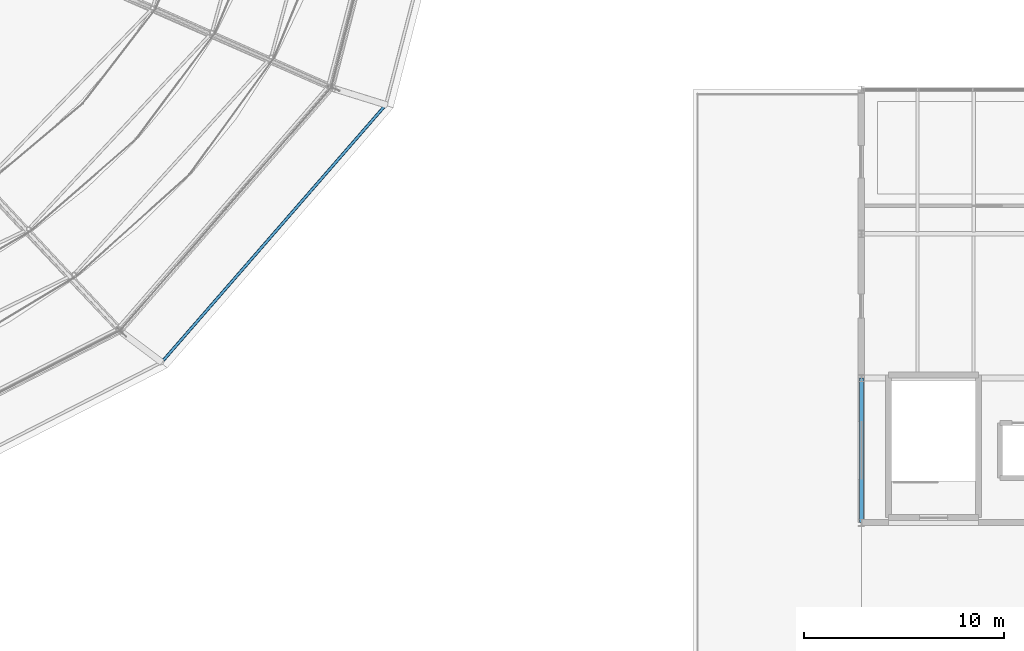
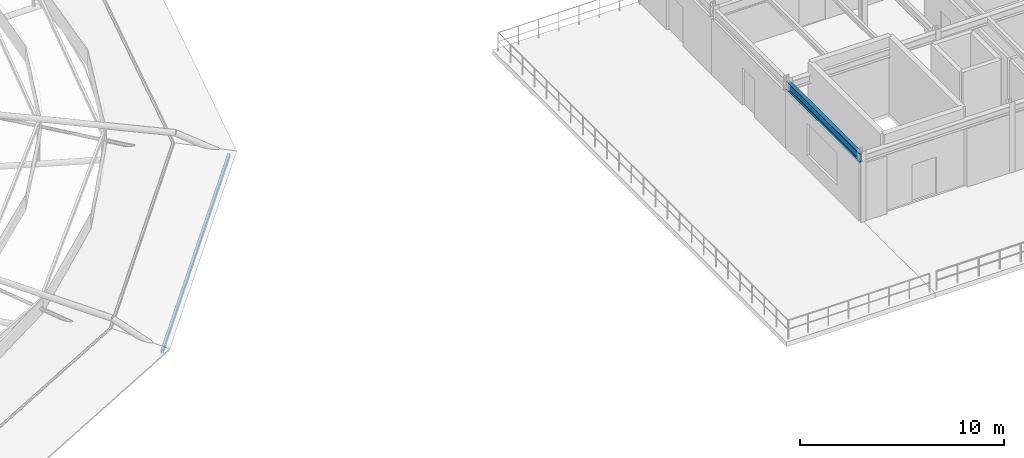
# One storey, part 31 of 134: 2 beams.
"""IFC4 building model written with IfcOpenShell, lengths in metres."""

from ifc_helpers import new_model, si_unit, derived_unit, direction, frame, origin, origin_2d, place, context, subcontext, project, spatial, hollow_rectangle, i_section, extrude, material, material_profile, profile_set, type_object, element, save


model = new_model("IFC4")

# Units and contexts
model_context = context("Model", 3, precision=1e-05, world=origin(), true_north=direction((0.0, 1.0)))
body_context = subcontext(model_context, "Body", "Model", "MODEL_VIEW")
ifc_project = project(units=[si_unit("LENGTHUNIT", "METRE"), si_unit("AREAUNIT", "SQUARE_METRE"), si_unit("VOLUMEUNIT", "CUBIC_METRE"), si_unit("PLANEANGLEUNIT", "RADIAN"), si_unit("MASSUNIT", "GRAM", prefix="KILO"), derived_unit("THERMALTRANSMITTANCEUNIT", [(si_unit("MASSUNIT", "GRAM", prefix="KILO"), 1), (si_unit("TIMEUNIT", "SECOND"), -3), (si_unit("THERMODYNAMICTEMPERATUREUNIT", "KELVIN"), -1)])], contexts=[model_context])

# Site, building, storey
site_placement = place(None, origin())
site = spatial("IfcSite", under=ifc_project, at=site_placement, CompositionType="ELEMENT")
building_placement = place(site_placement, origin())
building = spatial("IfcBuilding", under=site, at=building_placement, Name="Kharveza Railside Sports Centre", CompositionType="ELEMENT")
storey_placement = place(building_placement, frame((0.0, 0.0, 12.89990234375)))
storey = spatial("IfcBuildingStorey", under=building, at=storey_placement, Name="L03", CompositionType="ELEMENT", Elevation=12.89990234375)

# Beams
ifc_material = material(Name="Steel S355J2", Category="steel")
ifc_material_profile_1 = material_profile(ifc_material, i_section(OverallWidth=0.199951171875, OverallDepth=0.5, WebThickness=0.01025390625, FlangeThickness=0.01611328125, FilletRadius=0.02099609375, at=origin_2d()), Name="IPE 500")
ifc_profile_set_1 = profile_set([ifc_material_profile_1], Name="Steel S355J2")
beam_type_1 = type_object("IfcBeamType", Name="BM-G03", PredefinedType="T_BEAM", material=ifc_profile_set_1)
beam_1_placement = place(storey_placement, frame((126.0, 14.39990234375, 3.710205078125), z_axis=(0.0, 1.0, 0.0), x_axis=(-1.0, 0.0, 0.0)))
element("IfcBeam", 1, at=beam_1_placement, inside=storey, type_object=beam_type_1, Name="BM-NS-L03-B03-X1260-Y144", PredefinedType="T_BEAM", context=body_context, shape_type="SweptSolid", body=[
    extrude(i_section(OverallWidth=0.199951171875, OverallDepth=0.5, WebThickness=0.01025390625, FlangeThickness=0.01611328125, FilletRadius=0.02099609375, at=origin_2d()), origin(), (0.0, 0.0, 1.0), 7.2001953125),
])
ifc_material_profile_2 = material_profile(ifc_material, hollow_rectangle(XDim=0.14990234375, YDim=0.25, WallThickness=0.010009765625, InnerFilletRadius=0.010009765625, OuterFilletRadius=0.02001953125, at=origin_2d()), Name="RHS 150x250x10.0")
ifc_profile_set_2 = profile_set([ifc_material_profile_2], Name="Steel S355J2")
beam_type_2 = type_object("IfcBeamType", Name="BM-SP04", PredefinedType="SPANDREL", material=ifc_profile_set_2)
beam_2_placement = place(storey_placement, frame((91.086669921875, 22.398681640625, -0.47998046875), z_axis=(0.656649810387, 0.754195615553, 0.0), x_axis=(-0.754195615553, 0.656649810387, 0.0)))
element("IfcBeam", 2, at=beam_2_placement, inside=storey, type_object=beam_type_2, Name="BM-LIDRING-RIM-15", PredefinedType="SPANDREL", context=body_context, shape_type="SweptSolid", body=[
    extrude(hollow_rectangle(XDim=0.14990234375, YDim=0.25, WallThickness=0.010009765625, InnerFilletRadius=0.010009765625, OuterFilletRadius=0.02001953125, at=origin_2d()), origin(), (0.0, 0.0, 1.0), 17.0341796875),
])

save(model, "model.ifc")
